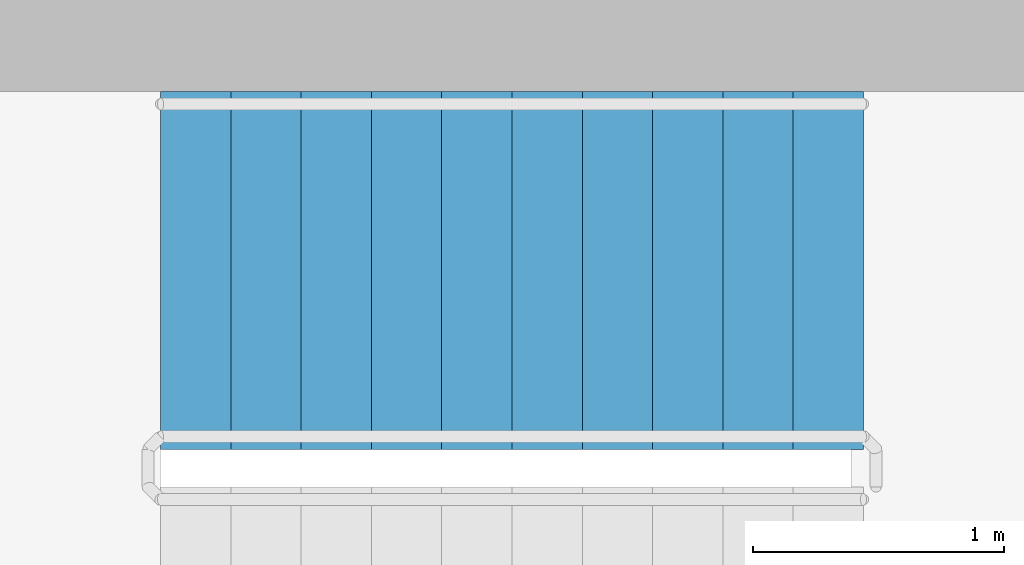
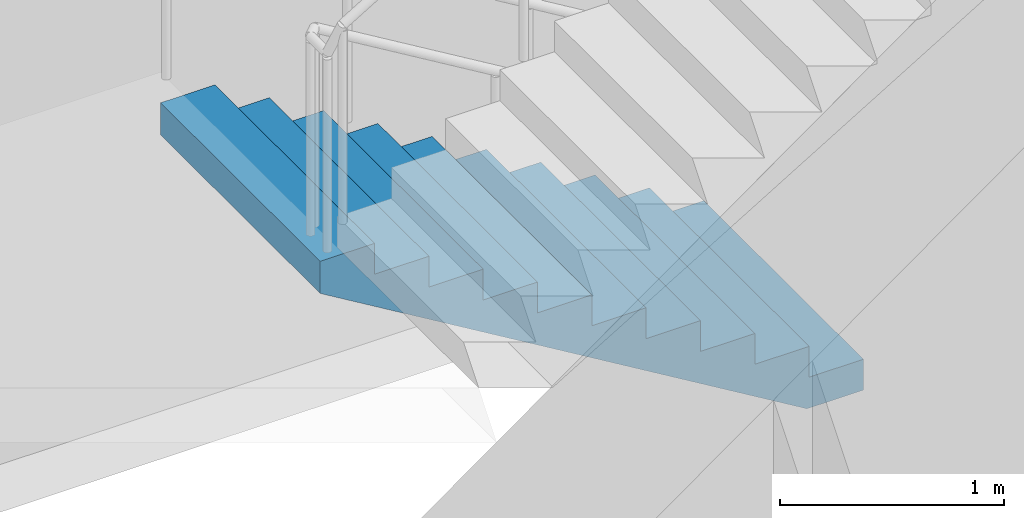
# One storey, part 15 of 18: 1 stair flight, 1 element without a shape of its own.
"""IFC4 building model written with IfcOpenShell, lengths in metres."""

from ifc_helpers import new_model, si_unit, direction, frame, origin, place, context, subcontext, project, spatial, polyline, outline, extrude, material, type_object, element, aggregate, save


model = new_model("IFC4")

# Units and contexts
model_context = context("Model", 3, precision=1e-05, world=origin(), true_north=direction((0.0, 1.0)))
body_context = subcontext(model_context, "Body", "Model", "MODEL_VIEW")
ifc_project = project(units=[si_unit("LENGTHUNIT", "METRE"), si_unit("AREAUNIT", "SQUARE_METRE"), si_unit("VOLUMEUNIT", "CUBIC_METRE"), si_unit("PLANEANGLEUNIT", "RADIAN"), si_unit("MASSUNIT", "GRAM", prefix="KILO")], contexts=[model_context])

# Site, building, storey
site_placement = place(None, origin())
site = spatial("IfcSite", under=ifc_project, at=site_placement, CompositionType="ELEMENT")
building_placement = place(site_placement, origin())
building = spatial("IfcBuilding", under=site, at=building_placement, Name="Nagisa Residences", CompositionType="ELEMENT")
storey_placement = place(building_placement, frame((0.0, 0.0, 284.39990234375)))
storey = spatial("IfcBuildingStorey", under=building, at=storey_placement, Name="L72", CompositionType="ELEMENT", Elevation=284.39990234375)

# Stair, stair flight
ifc_material_1 = material(Name="Concrete C60", Category="concrete")
stair_type = type_object("IfcStairType", Name="Exit stair", PredefinedType="HALF_TURN_STAIR", material=ifc_material_1)
stair_placement = place(storey_placement, origin())
stair = element("IfcStair", 1, at=stair_placement, inside=storey, type_object=stair_type, Name="L72 Exit stair N", PredefinedType="HALF_TURN_STAIR")
ifc_material_2 = material(Name="Concrete C60", Category="concrete")
stair_flight_type = type_object("IfcStairFlightType", Name="Exit stair flight", PredefinedType="STRAIGHT", material=ifc_material_2)
stair_flight_placement = place(storey_placement, frame((2.47509765625, 9.31201171875, 0.0), z_axis=(0.0, 0.0, 1.0), x_axis=(-1.0, 0.0, 0.0)))
stair_flight = element("IfcStairFlight", 2, at=stair_flight_placement, type_object=stair_flight_type, Name="ST-N flight 1", NumberOfRisers=11, NumberOfTreads=10, PredefinedType="STRAIGHT", RiserHeight=0.168181818, TreadLength=0.28, context=body_context, shape_type="SweptSolid", body=[
    extrude(outline(polyline([(0.0, 0.0), (0.0, 0.168212890625), (0.280029296875, 0.168212890625), (0.280029296875, 0.33642578125), (0.56005859375, 0.33642578125), (0.56005859375, 0.504638671875), (0.840087890625, 0.504638671875), (0.840087890625, 0.672607421875), (1.1201171875, 0.672607421875), (1.1201171875, 0.8408203125), (1.39990234375, 0.8408203125), (1.39990234375, 1.009033203125), (1.679931640625, 1.009033203125), (1.679931640625, 1.17724609375), (1.9599609375, 1.17724609375), (1.9599609375, 1.345458984375), (2.239990234375, 1.345458984375), (2.239990234375, 1.513671875), (2.52001953125, 1.513671875), (2.52001953125, 1.681884765625), (2.800048828125, 1.681884765625), (2.800048828125, 1.85009765625), (2.800048828125, 1.5068359375), (0.291015625, 0.0), (0.0, 0.0)])), frame((0.0, 0.71240234375, 0.0), z_axis=(0.0, -1.0, 0.0), x_axis=(1.0, 0.0, 0.0)), (0.0, 0.0, 1.0), 1.425048828125),
])
aggregate(stair, [stair_flight])

save(model, "model.ifc")
